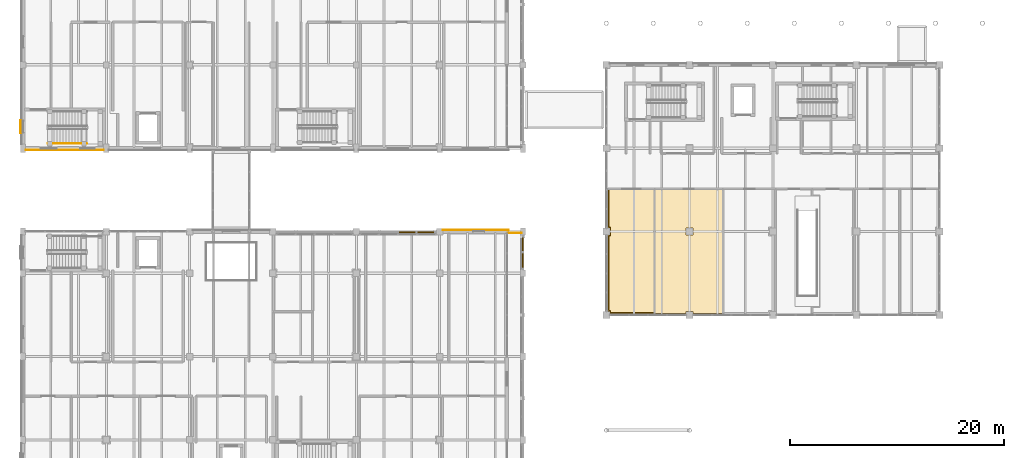
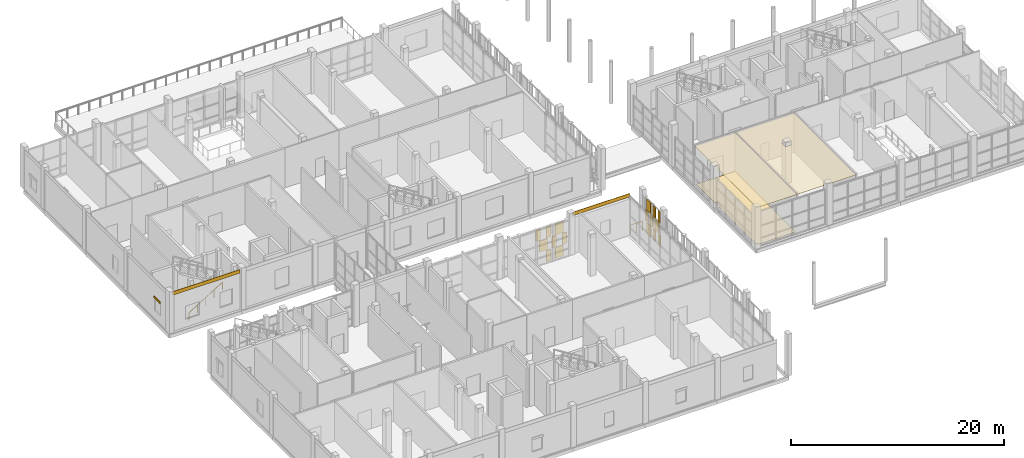
# One storey, part 121 of 138: 22 coverings, 2 railings, 1 shading device.
"""IFC4 building model written with IfcOpenShell, lengths in metres."""

from ifc_helpers import new_model, si_unit, direction, frame, origin, origin_2d, place, context, subcontext, project, spatial, polyline, rectangle, circle, outline, extrude, material, layer, layer_set, type_object, element, save


model = new_model("IFC4")

# Units and contexts
model_context = context("Model", 3, precision=1e-05, world=origin(), true_north=direction((0.0, 1.0)))
body_context = subcontext(model_context, "Body", "Model", "MODEL_VIEW")
ifc_project = project(units=[si_unit("LENGTHUNIT", "METRE"), si_unit("AREAUNIT", "SQUARE_METRE"), si_unit("VOLUMEUNIT", "CUBIC_METRE"), si_unit("PLANEANGLEUNIT", "RADIAN"), si_unit("MASSUNIT", "GRAM", prefix="KILO")], contexts=[model_context])

# Site, building, storey
site_placement = place(None, origin())
site = spatial("IfcSite", under=ifc_project, at=site_placement, CompositionType="ELEMENT")
building_placement = place(site_placement, origin())
building = spatial("IfcBuilding", under=site, at=building_placement, Name="Celorna Specialist Clinic", CompositionType="ELEMENT")
storey_placement = place(building_placement, frame((0.0, 0.0, 4.800048828125)))
storey = spatial("IfcBuildingStorey", under=building, at=storey_placement, Name="L01", CompositionType="ELEMENT", Elevation=4.800048828125)

# Railing
ifc_material_1 = material(Name="Stainless steel and laminated glass balustrade", Category="steel")
railing_type_1 = type_object("IfcRailingType", Name="BL-01", PredefinedType="BALUSTRADE", material=ifc_material_1)
railing_1_placement = place(storey_placement, frame((45.419921875, 27.179931640625, 0.0)))
element("IfcRailing", 1, at=railing_1_placement, inside=storey, type_object=railing_type_1, Name="Pharmacy Forecourt Veranda perimeter balustrade 2", PredefinedType="BALUSTRADE", context=body_context, shape_type="SweptSolid", body=[
    extrude(circle(Radius=0.02392578125, at=origin_2d()), frame((0.0, 0.0, 1.09619140625), z_axis=(1.0, 0.0, 0.0), x_axis=(0.0, 1.0, 0.0)), (0.0, 0.0, 1.0), 1.260009765625),
    extrude(circle(Radius=0.02099609375, at=origin_2d()), origin(), (0.0, 0.0, 1.0), 1.072021484375),
    extrude(circle(Radius=0.02099609375, at=origin_2d()), frame((0.6298828125, 0.0, 0.0)), (0.0, 0.0, 1.0), 1.072021484375),
    extrude(circle(Radius=0.02099609375, at=origin_2d()), frame((1.260009765625, 0.0, 0.0)), (0.0, 0.0, 1.0), 1.072021484375),
])

# Coverings
ifc_material_2 = material(Name="Hygienic acoustic mineral-fibre ceiling")
ifc_layer_1 = layer(ifc_material_2, 0.030029296875, Name="Hygienic acoustic mineral-fibre ceiling")
ifc_layer_set_1 = layer_set([ifc_layer_1], Name="Hygienic acoustic mineral-fibre ceiling")
covering_type_1 = type_object("IfcCoveringType", Name="CE-01", PredefinedType="CEILING", material=ifc_layer_set_1)
covering_1_placement = place(storey_placement, frame((0.0, 0.0, 4.329833984375)))
element("IfcCovering", 2, at=covering_1_placement, inside=storey, type_object=covering_type_1, Name="Acoustic ceiling L01-106", PredefinedType="CEILING", context=body_context, shape_type="SweptSolid", body=[
    extrude(outline(polyline([(54.7548828125, 31.31494140625), (59.135009765625, 31.31494140625), (59.135009765625, 19.655029296875), (54.929931640625, 19.655029296875), (54.929931640625, 19.830078125), (54.7548828125, 19.830078125), (54.7548828125, 26.969970703125), (54.929931640625, 26.969970703125), (54.929931640625, 27.6298828125), (54.7548828125, 27.6298828125), (54.7548828125, 31.31494140625)])), origin(), (0.0, 0.0, 1.0), 0.030029296875),
])
covering_2_placement = place(storey_placement, frame((0.0, 0.0, 4.329833984375)))
element("IfcCovering", 3, at=covering_2_placement, inside=storey, type_object=covering_type_1, Name="Acoustic ceiling L01-107", PredefinedType="CEILING", context=body_context, shape_type="SweptSolid", body=[
    extrude(outline(polyline([(65.534912109375, 31.31494140625), (65.534912109375, 19.655029296875), (62.72998046875, 19.655029296875), (62.72998046875, 19.830078125), (62.070068359375, 19.830078125), (62.070068359375, 19.655029296875), (59.10498046875, 19.655029296875), (59.10498046875, 31.31494140625), (65.534912109375, 31.31494140625)]), holes=[polyline([(62.72998046875, 26.969970703125), (62.72998046875, 27.6298828125), (62.070068359375, 27.6298828125), (62.070068359375, 26.969970703125), (62.72998046875, 26.969970703125)])]), origin(), (0.0, 0.0, 1.0), 0.030029296875),
])
ifc_material_3 = material(Name="Pero Pinheiro Lioz limestone rainscreen cladding", Category="masonry")
ifc_layer_2 = layer(ifc_material_3, 0.044921875, Name="Pero Pinheiro Lioz limestone rainscreen cladding")
ifc_layer_set_2 = layer_set([ifc_layer_2], Name="Pero Pinheiro Lioz limestone rainscreen cladding")
covering_type_2 = type_object("IfcCoveringType", Name="CL-01", PredefinedType="CLADDING", material=ifc_layer_set_2)
covering_3_placement = place(storey_placement, frame((3.89990234375, 34.952392578125, 4.139892578125), z_axis=(0.0, 0.0, 1.0), x_axis=(-1.0, 0.0, 0.0)))
element("IfcCovering", 4, at=covering_3_placement, inside=storey, type_object=covering_type_2, Name="Lioz spandrel cladding #117", PredefinedType="CLADDING", context=body_context, shape_type="SweptSolid", body=[
    extrude(rectangle(XDim=7.300048828125, YDim=0.044921875, at=origin_2d()), origin(), (0.0, 0.0, 1.0), 0.39990234375),
])
covering_4_placement = place(storey_placement, frame((42.385009765625, 27.447509765625, 4.139892578125), z_axis=(0.0, 0.0, 1.0), x_axis=(1.0, 0.0, 0.0)))
element("IfcCovering", 5, at=covering_4_placement, inside=storey, type_object=covering_type_2, Name="Lioz spandrel cladding #329", PredefinedType="CLADDING", context=body_context, shape_type="SweptSolid", body=[
    extrude(rectangle(XDim=6.169921875, YDim=0.044921875, at=origin_2d()), origin(), (0.0, 0.0, 1.0), 0.39990234375),
])
ifc_material_4 = material(Name="Perforated terracotta brick weave cladding", Category="masonry")
ifc_layer_3 = layer(ifc_material_4, 0.114990234375, Name="Perforated terracotta brick weave cladding")
ifc_layer_set_3 = layer_set([ifc_layer_3], Name="Perforated terracotta brick weave cladding")
covering_type_3 = type_object("IfcCoveringType", Name="CL-02", PredefinedType="CLADDING", material=ifc_layer_set_3)
for number, where, z_axis, x_axis, name in (
    (6, (46.7900390625, 24.13330078125, 0.10009765625), (0.0, 0.0, 1.0), (0.0, 1.0, 0.0), "Woven perforated terracotta brick course #1423"),
    (7, (46.7900390625, 25.081787109375, 0.10009765625), (0.0, 0.0, 1.0), (0.0, 1.0, 0.0), "Woven perforated terracotta brick course #1424"),
):
    element("IfcCovering", number, at=place(storey_placement, frame(where, z_axis=z_axis, x_axis=x_axis)), inside=storey, type_object=covering_type_3, Name=name, PredefinedType="CLADDING", context=body_context, shape_type="SweptSolid", body=[
        extrude(rectangle(XDim=0.416259765625, YDim=0.114990234375, at=origin_2d()), origin(), (0.0, 0.0, 1.0), 1.24658203125),
    ])
covering_5_placement = place(storey_placement, frame((46.7900390625, 24.607421875, 1.44677734375), z_axis=(0.0, 0.0, 1.0), x_axis=(0.0, 1.0, 0.0)))
element("IfcCovering", 8, at=covering_5_placement, inside=storey, type_object=covering_type_3, Name="Woven perforated terracotta brick course #1425", PredefinedType="CLADDING", context=body_context, shape_type="SweptSolid", body=[
    extrude(rectangle(XDim=0.737060546875, YDim=0.114990234375, at=origin_2d()), origin(), (0.0, 0.0, 1.0), 1.24658203125),
])
for number, where, z_axis, x_axis, name in (
    (9, (46.7900390625, 24.13330078125, 2.793212890625), (0.0, 0.0, 1.0), (0.0, 1.0, 0.0), "Woven perforated terracotta brick course #1426"),
    (10, (46.7900390625, 25.081787109375, 2.793212890625), (0.0, 0.0, 1.0), (0.0, 1.0, 0.0), "Woven perforated terracotta brick course #1427"),
):
    element("IfcCovering", number, at=place(storey_placement, frame(where, z_axis=z_axis, x_axis=x_axis)), inside=storey, type_object=covering_type_3, Name=name, PredefinedType="CLADDING", context=body_context, shape_type="SweptSolid", body=[
        extrude(rectangle(XDim=0.416259765625, YDim=0.114990234375, at=origin_2d()), origin(), (0.0, 0.0, 1.0), 1.24658203125),
    ])
covering_6_placement = place(storey_placement, frame((46.7900390625, 26.092529296875, 0.10009765625), z_axis=(0.0, 0.0, 1.0), x_axis=(0.0, 1.0, 0.0)))
element("IfcCovering", 11, at=covering_6_placement, inside=storey, type_object=covering_type_3, Name="Woven perforated terracotta brick course #1428", PredefinedType="CLADDING", context=body_context, shape_type="SweptSolid", body=[
    extrude(rectangle(XDim=0.737060546875, YDim=0.114990234375, at=origin_2d()), origin(), (0.0, 0.0, 1.0), 1.24658203125),
])
for number, where, z_axis, x_axis, name in (
    (12, (46.7900390625, 25.6181640625, 1.44677734375), (0.0, 0.0, 1.0), (0.0, 1.0, 0.0), "Woven perforated terracotta brick course #1429"),
    (13, (46.7900390625, 26.56689453125, 1.44677734375), (0.0, 0.0, 1.0), (0.0, 1.0, 0.0), "Woven perforated terracotta brick course #1430"),
):
    element("IfcCovering", number, at=place(storey_placement, frame(where, z_axis=z_axis, x_axis=x_axis)), inside=storey, type_object=covering_type_3, Name=name, PredefinedType="CLADDING", context=body_context, shape_type="SweptSolid", body=[
        extrude(rectangle(XDim=0.416259765625, YDim=0.114990234375, at=origin_2d()), origin(), (0.0, 0.0, 1.0), 1.24658203125),
    ])
covering_7_placement = place(storey_placement, frame((46.7900390625, 26.092529296875, 2.793212890625), z_axis=(0.0, 0.0, 1.0), x_axis=(0.0, 1.0, 0.0)))
element("IfcCovering", 14, at=covering_7_placement, inside=storey, type_object=covering_type_3, Name="Woven perforated terracotta brick course #1431", PredefinedType="CLADDING", context=body_context, shape_type="SweptSolid", body=[
    extrude(rectangle(XDim=0.737060546875, YDim=0.114990234375, at=origin_2d()), origin(), (0.0, 0.0, 1.0), 1.24658203125),
])
covering_8_placement = place(storey_placement, frame((36.5244140625, 27.22998046875, 0.10009765625), z_axis=(0.0, 0.0, 1.0), x_axis=(1.0, 0.0, 0.0)))
element("IfcCovering", 15, at=covering_8_placement, inside=storey, type_object=covering_type_3, Name="Woven perforated terracotta brick course #1510", PredefinedType="CLADDING", context=body_context, shape_type="SweptSolid", body=[
    extrude(rectangle(XDim=0.4912109375, YDim=0.114990234375, at=origin_2d()), origin(), (0.0, 0.0, 1.0), 1.24658203125),
])
covering_9_placement = place(storey_placement, frame((35.965087890625, 27.22998046875, 1.44677734375), z_axis=(0.0, 0.0, 1.0), x_axis=(1.0, 0.0, 0.0)))
element("IfcCovering", 16, at=covering_9_placement, inside=storey, type_object=covering_type_3, Name="Woven perforated terracotta brick course #1511", PredefinedType="CLADDING", context=body_context, shape_type="SweptSolid", body=[
    extrude(rectangle(XDim=0.869384765625, YDim=0.114990234375, at=origin_2d()), origin(), (0.0, 0.0, 1.0), 1.24658203125),
])
for number, where, z_axis, x_axis, name in (
    (17, (35.405517578125, 27.22998046875, 2.793212890625), (0.0, 0.0, 1.0), (1.0, 0.0, 0.0), "Woven perforated terracotta brick course #1512"),
    (18, (36.5244140625, 27.22998046875, 2.793212890625), (0.0, 0.0, 1.0), (1.0, 0.0, 0.0), "Woven perforated terracotta brick course #1513"),
):
    element("IfcCovering", number, at=place(storey_placement, frame(where, z_axis=z_axis, x_axis=x_axis)), inside=storey, type_object=covering_type_3, Name=name, PredefinedType="CLADDING", context=body_context, shape_type="SweptSolid", body=[
        extrude(rectangle(XDim=0.4912109375, YDim=0.114990234375, at=origin_2d()), origin(), (0.0, 0.0, 1.0), 1.24658203125),
    ])
covering_10_placement = place(storey_placement, frame((37.695068359375, 27.22998046875, 0.10009765625), z_axis=(0.0, 0.0, 1.0), x_axis=(1.0, 0.0, 0.0)))
element("IfcCovering", 19, at=covering_10_placement, inside=storey, type_object=covering_type_3, Name="Woven perforated terracotta brick course #1514", PredefinedType="CLADDING", context=body_context, shape_type="SweptSolid", body=[
    extrude(rectangle(XDim=0.869384765625, YDim=0.114990234375, at=origin_2d()), origin(), (0.0, 0.0, 1.0), 1.24658203125),
])
for number, where, z_axis, x_axis, name in (
    (20, (37.135498046875, 27.22998046875, 1.44677734375), (0.0, 0.0, 1.0), (1.0, 0.0, 0.0), "Woven perforated terracotta brick course #1515"),
    (21, (38.25439453125, 27.22998046875, 1.44677734375), (0.0, 0.0, 1.0), (1.0, 0.0, 0.0), "Woven perforated terracotta brick course #1516"),
):
    element("IfcCovering", number, at=place(storey_placement, frame(where, z_axis=z_axis, x_axis=x_axis)), inside=storey, type_object=covering_type_3, Name=name, PredefinedType="CLADDING", context=body_context, shape_type="SweptSolid", body=[
        extrude(rectangle(XDim=0.4912109375, YDim=0.114990234375, at=origin_2d()), origin(), (0.0, 0.0, 1.0), 1.24658203125),
    ])
covering_11_placement = place(storey_placement, frame((37.695068359375, 27.22998046875, 2.793212890625), z_axis=(0.0, 0.0, 1.0), x_axis=(1.0, 0.0, 0.0)))
element("IfcCovering", 22, at=covering_11_placement, inside=storey, type_object=covering_type_3, Name="Woven perforated terracotta brick course #1517", PredefinedType="CLADDING", context=body_context, shape_type="SweptSolid", body=[
    extrude(rectangle(XDim=0.869384765625, YDim=0.114990234375, at=origin_2d()), origin(), (0.0, 0.0, 1.0), 1.24658203125),
])
ifc_material_5 = material(Name="Seamless antimicrobial clinical vinyl and Lioz terrazzo flooring")
ifc_layer_4 = layer(ifc_material_5, 0.02001953125, Name="Seamless antimicrobial clinical vinyl and Lioz terrazzo flooring")
ifc_layer_set_4 = layer_set([ifc_layer_4], Name="Seamless antimicrobial clinical vinyl and Lioz terrazzo flooring")
covering_type_4 = type_object("IfcCoveringType", Name="FL-01", PredefinedType="FLOORING", material=ifc_layer_set_4)
covering_12_placement = place(storey_placement, origin())
element("IfcCovering", 23, at=covering_12_placement, inside=storey, type_object=covering_type_4, Name="Antimicrobial clinical flooring L01-106", PredefinedType="FLOORING", context=body_context, shape_type="SweptSolid", body=[
    extrude(outline(polyline([(54.844970703125, 26.889892578125), (55.010009765625, 26.889892578125), (55.010009765625, 27.7099609375), (54.844970703125, 27.7099609375), (54.844970703125, 31.22509765625), (59.044921875, 31.22509765625), (59.044921875, 19.7451171875), (55.010009765625, 19.7451171875), (55.010009765625, 19.909912109375), (54.844970703125, 19.909912109375), (54.844970703125, 26.889892578125)])), origin(), (0.0, 0.0, 1.0), 0.02001953125),
])

# Railing
ifc_material_6 = material(Name="Brushed stainless steel handrail", Category="steel")
railing_type_2 = type_object("IfcRailingType", Name="HR-01", PredefinedType="HANDRAIL", material=ifc_material_6)
railing_2_placement = place(storey_placement, frame((2.340087890625, 35.530029296875, 0.17138671875)))
element("IfcRailing", 24, at=railing_2_placement, inside=storey, type_object=railing_type_2, Name="L01 ST-06 stair handrail 1", PredefinedType="HANDRAIL", context=body_context, shape_type="SweptSolid", body=[
    extrude(circle(Radius=0.02392578125, at=origin_2d()), frame((0.0, 0.0, 0.8759765625), z_axis=(0.852850264322, 0.0, 0.5221555579), x_axis=(0.0, 1.0, 0.0)), (0.0, 0.0, 1.0), 4.267822265625),
    extrude(circle(Radius=0.02099609375, at=origin_2d()), origin(), (0.0, 0.0, 1.0), 0.851806640625),
    extrude(circle(Radius=0.02099609375, at=origin_2d()), frame((0.909912109375, 0.0, 0.55712890625)), (0.0, 0.0, 1.0), 0.851806640625),
    extrude(circle(Radius=0.02099609375, at=origin_2d()), frame((1.81982421875, 0.0, 1.1142578125)), (0.0, 0.0, 1.0), 0.851806640625),
    extrude(circle(Radius=0.02099609375, at=origin_2d()), frame((2.72998046875, 0.0, 1.67138671875)), (0.0, 0.0, 1.0), 0.851806640625),
    extrude(circle(Radius=0.02099609375, at=origin_2d()), frame((3.639892578125, 0.0, 2.228515625)), (0.0, 0.0, 1.0), 0.851806640625),
])

# Shading device
ifc_material_7 = material(Name="Anodized aluminium solar louvre", Category="aluminium")
ifc_layer_5 = layer(ifc_material_7, 0.080078125, Name="Anodized aluminium solar louvre")
ifc_layer_set_5 = layer_set([ifc_layer_5], Name="Anodized aluminium solar louvre")
shading_device_type = type_object("IfcShadingDeviceType", Name="LV-01", PredefinedType="JALOUSIE", material=ifc_layer_set_5)
shading_device_placement = place(storey_placement, frame((-0.2099609375, 37.112548828125, 2.33984375), z_axis=(0.0, 0.0, 1.0), x_axis=(0.0, 1.0, 0.0)))
element("IfcShadingDevice", 25, at=shading_device_placement, inside=storey, type_object=shading_device_type, Name="External solar louvre LV-01 #36", PredefinedType="JALOUSIE", context=body_context, shape_type="SweptSolid", body=[
    extrude(rectangle(XDim=1.199951171875, YDim=0.080078125, at=origin_2d()), origin(), (0.0, 0.0, 1.0), 0.219970703125),
])

save(model, "model.ifc")
